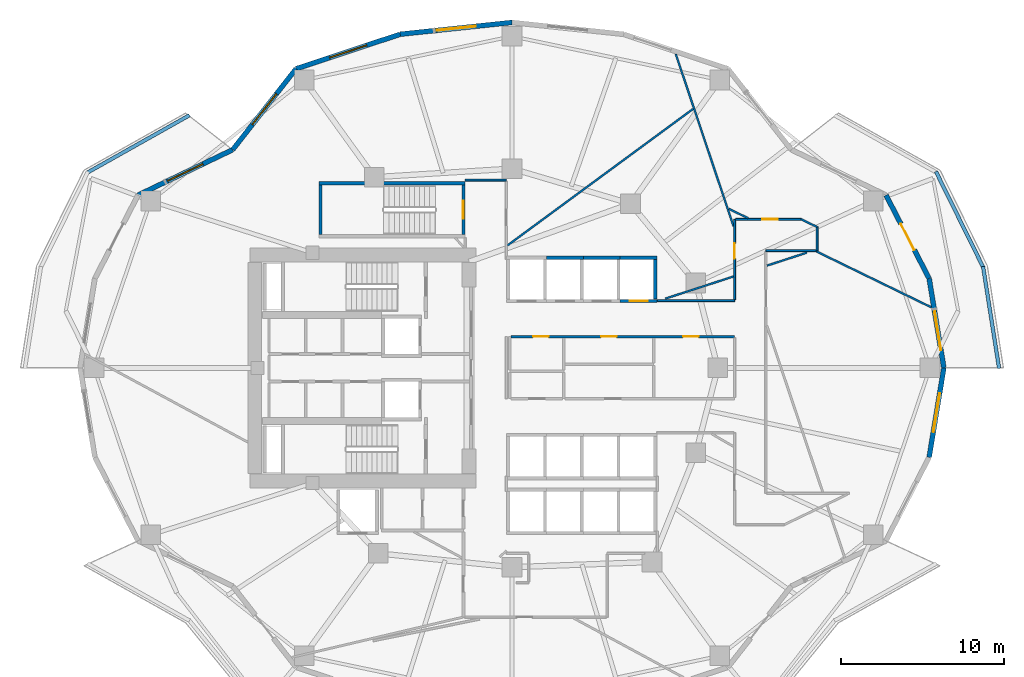
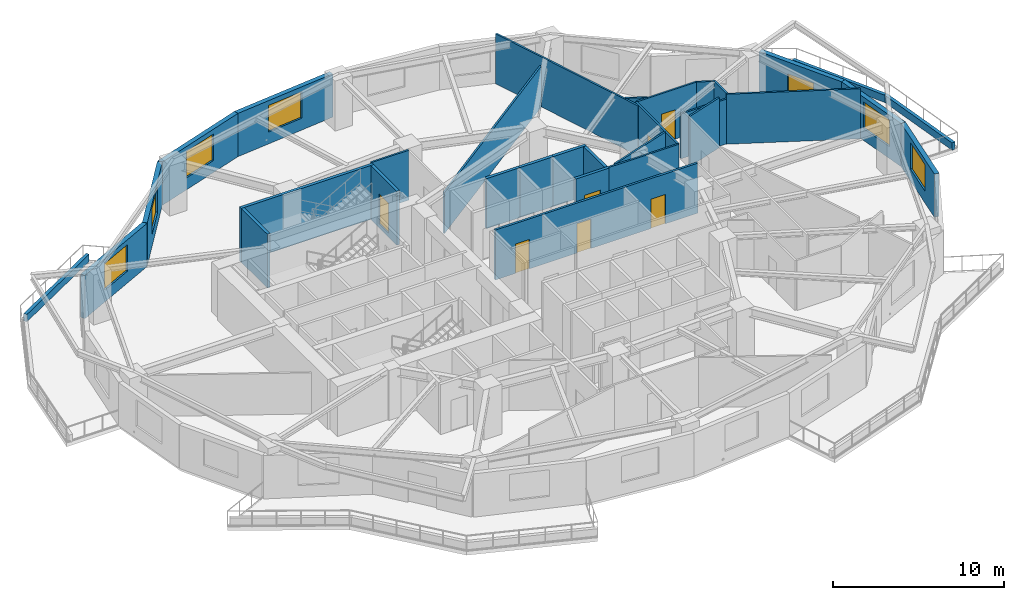
# One storey, part 6 of 11: 32 walls, 8 doors, 6 windows, 14 openings.
"""IFC4 building model written with IfcOpenShell, lengths in metres."""

from ifc_helpers import new_model, si_unit, direction, frame, frame_2d, origin, place, context, subcontext, project, spatial, rectangle, extrude, material, layer, layer_set, type_object, element, fill, save


model = new_model("IFC4")

# Units and contexts
model_context = context("Model", 3, precision=1e-05, world=origin(), true_north=direction((0.0, 1.0)))
body_context = subcontext(model_context, "Body", "Model", "MODEL_VIEW")
ifc_project = project(units=[si_unit("LENGTHUNIT", "METRE"), si_unit("AREAUNIT", "SQUARE_METRE"), si_unit("VOLUMEUNIT", "CUBIC_METRE"), si_unit("PLANEANGLEUNIT", "RADIAN"), si_unit("MASSUNIT", "GRAM", prefix="KILO")], contexts=[model_context])

# Site, building, storey
site_placement = place(None, origin())
site = spatial("IfcSite", under=ifc_project, at=site_placement, CompositionType="ELEMENT")
building_placement = place(site_placement, origin())
building = spatial("IfcBuilding", under=site, at=building_placement, Name="Kolvaren Gate Tower and Convention Centre", CompositionType="ELEMENT")
storey_placement = place(building_placement, frame((0.0, 0.0, 88.10009765625)))
storey = spatial("IfcBuildingStorey", under=building, at=storey_placement, Name="L21", CompositionType="ELEMENT", Elevation=88.10009765625)

# Walls
ifc_material_1 = material(Name="Fire-Rated Acoustic Gypsum Stud Partition", Category="gypsum")
ifc_layer_1 = layer(ifc_material_1, 0.1201171875)
ifc_layer_set_1 = layer_set([ifc_layer_1], Name="Fire-Rated Acoustic Gypsum Stud Partition")
wall_type_1 = type_object("IfcWallType", Name="ARCH-WL-PART-120", PredefinedType="PARTITIONING", material=ifc_layer_set_1)
wall_1_placement = place(storey_placement, frame((27.25, 38.5, 0.0), z_axis=(0.0, 0.0, 1.0), x_axis=(1.0, 0.0, 0.0)))
element("IfcWall", 1, at=wall_1_placement, inside=storey, type_object=wall_type_1, Name="Interior Partition WL-L21-INT-027", PredefinedType="PARTITIONING", context=body_context, shape_type="SweptSolid", body=[
    extrude(rectangle(XDim=2.530029296875, YDim=0.1201171875, at=frame_2d((1.26513671875, 0.0))), origin(), (0.0, 0.0, 1.0), 3.56982421875),
])
wall_2_placement = place(storey_placement, frame((39.02001953125, 31.1201171875, 0.0), z_axis=(0.0, 0.0, 1.0), x_axis=(1.0, 0.0, 0.0)))
element("IfcWall", 2, at=wall_2_placement, inside=storey, type_object=wall_type_1, Name="Interior Partition WL-L21-INT-031", PredefinedType="PARTITIONING", context=body_context, shape_type="SweptSolid", body=[
    extrude(rectangle(XDim=4.72998046875, YDim=0.1201171875, at=frame_2d((2.364990234375, 0.0))), origin(), (0.0, 0.0, 1.0), 3.56982421875),
])

# Wall, opening, door
wall_3_placement = place(storey_placement, frame((43.75, 31.181884765625, 0.0), z_axis=(0.0, 0.0, 1.0), x_axis=(0.0, 1.0, 0.0)))
wall_3 = element("IfcWall", 3, at=wall_3_placement, inside=storey, type_object=wall_type_1, Name="Interior Partition WL-L21-INT-034", PredefinedType="PARTITIONING", context=body_context, shape_type="SweptSolid", body=[
    extrude(rectangle(XDim=4.918212890625, YDim=0.1201171875, at=frame_2d((2.458984375, 0.0))), origin(), (0.0, 0.0, 1.0), 3.56982421875),
])
opening_1_placement = place(wall_3_placement, frame((2.4912109375, 0.0, 0.0)))
opening_1 = element("IfcOpeningElement", 4, at=opening_1_placement, cuts=wall_3, Name="Opening DR-01", PredefinedType="OPENING", context=body_context, shape_type="SweptSolid", body=[
    extrude(rectangle(XDim=0.949951171875, YDim=2.10009765625, at=frame_2d((0.47509765625, 1.050048828125))), frame((0.0, 0.070068359375, 0.0), z_axis=(0.0, -1.0, 0.0), x_axis=(1.0, 0.0, 0.0)), (0.0, 0.0, 1.0), 0.14013671875),
])
ifc_material_2 = material(Name="Painted Architectural Steelwork ASTM A500 Grade C 345 MPa", Category="steel")
door_type_1 = type_object("IfcDoorType", Name="ARCH-DR-RISER-950", OperationType="SINGLE_SWING_RIGHT", PredefinedType="DOOR", material=ifc_material_2)
door_1_placement = place(opening_1_placement, origin())
door_1 = element("IfcDoor", 5, at=door_1_placement, inside=storey, type_object=door_type_1, Name="Corporate Advisory Open-Plan Office Door", OperationType="SINGLE_SWING_LEFT", OverallHeight=2.10009765625, OverallWidth=0.949951171875, PredefinedType="DOOR", context=body_context, shape_type="SweptSolid", body=[
    extrude(rectangle(XDim=0.949951171875, YDim=2.10009765625, at=frame_2d((0.47509765625, 1.050048828125))), frame((0.0, 0.02490234375, 0.0), z_axis=(0.0, -1.0, 0.0), x_axis=(1.0, 0.0, 0.0)), (0.0, 0.0, 1.0), 0.050048828125),
])
fill(opening_1, door_1)

wall_4_placement = place(storey_placement, frame((43.81201171875, 36.10009765625, 0.0), z_axis=(0.0, 0.0, 1.0), x_axis=(1.0, 0.0, 0.0)))
wall_4 = element("IfcWall", 6, at=wall_4_placement, inside=storey, type_object=wall_type_1, Name="Interior Partition WL-L21-INT-035", PredefinedType="PARTITIONING", context=body_context, shape_type="SweptSolid", body=[
    extrude(rectangle(XDim=4.011962890625, YDim=0.1201171875, at=frame_2d((2.005859375, 0.0))), origin(), (0.0, 0.0, 1.0), 3.56982421875),
])
opening_2_placement = place(wall_4_placement, frame((1.622802734375, 0.0, 0.0)))
opening_2 = element("IfcOpeningElement", 7, at=opening_2_placement, cuts=wall_4, Name="Opening DR-01", PredefinedType="OPENING", context=body_context, shape_type="SweptSolid", body=[
    extrude(rectangle(XDim=0.949951171875, YDim=2.10009765625, at=frame_2d((0.47509765625, 1.050048828125))), frame((0.0, 0.070068359375, 0.0), z_axis=(0.0, -1.0, 0.0), x_axis=(1.0, 0.0, 0.0)), (0.0, 0.0, 1.0), 0.14013671875),
])
door_2_placement = place(opening_2_placement, origin())
door_2 = element("IfcDoor", 8, at=door_2_placement, inside=storey, type_object=door_type_1, Name="Corporate Advisory Open-Plan Office Door", OperationType="SINGLE_SWING_RIGHT", OverallHeight=2.10009765625, OverallWidth=0.949951171875, PredefinedType="DOOR", context=body_context, shape_type="SweptSolid", body=[
    extrude(rectangle(XDim=0.949951171875, YDim=2.10009765625, at=frame_2d((0.47509765625, 1.050048828125))), frame((0.0, 0.02490234375, 0.0), z_axis=(0.0, -1.0, 0.0), x_axis=(1.0, 0.0, 0.0)), (0.0, 0.0, 1.0), 0.050048828125),
])
fill(opening_2, door_2)

# Walls
wall_5_placement = place(storey_placement, frame((47.823974609375, 36.10009765625, 0.0), z_axis=(0.0, 0.0, 1.0), x_axis=(0.901350599951, -0.433090170712, 0.0)))
element("IfcWall", 9, at=wall_5_placement, inside=storey, type_object=wall_type_1, Name="Interior Partition WL-L21-INT-036", PredefinedType="PARTITIONING", context=body_context, shape_type="SweptSolid", body=[
    extrude(rectangle(XDim=1.0830078125, YDim=0.1201171875, at=frame_2d((0.54150390625, 0.0))), origin(), (0.0, 0.0, 1.0), 3.56982421875),
])
wall_6_placement = place(storey_placement, frame((48.800048828125, 34.179931640625, 0.0), z_axis=(0.0, 0.0, 1.0), x_axis=(0.0, 1.0, 0.0)))
element("IfcWall", 10, at=wall_6_placement, inside=storey, type_object=wall_type_1, Name="Interior Partition WL-L21-INT-037", PredefinedType="PARTITIONING", context=body_context, shape_type="SweptSolid", body=[
    extrude(rectangle(XDim=1.451171875, YDim=0.1201171875, at=frame_2d((0.7255859375, 0.0))), origin(), (0.0, 0.0, 1.0), 3.56982421875),
])
wall_7_placement = place(storey_placement, frame((45.669921875, 34.179931640625, 0.0), z_axis=(0.0, 0.0, 1.0), x_axis=(1.0, 0.0, 0.0)))
element("IfcWall", 11, at=wall_7_placement, inside=storey, type_object=wall_type_1, Name="Interior Partition WL-L21-INT-038", PredefinedType="PARTITIONING", context=body_context, shape_type="SweptSolid", body=[
    extrude(rectangle(XDim=3.068115234375, YDim=0.1201171875, at=frame_2d((1.5341796875, 0.0))), origin(), (0.0, 0.0, 1.0), 3.204833984375),
])
wall_8_placement = place(storey_placement, frame((40.150390625, 46.214599609375, 0.0), z_axis=(0.0, 0.0, 1.0), x_axis=(0.318097538603, -0.948057991863, 0.0)))
element("IfcWall", 12, at=wall_8_placement, inside=storey, type_object=wall_type_1, Name="Interior Partition WL-L21-INT-054", PredefinedType="PARTITIONING", context=body_context, shape_type="SweptSolid", body=[
    extrude(rectangle(XDim=11.12109375, YDim=0.1201171875, at=frame_2d((5.560546875, 0.0))), origin(), (0.0, 0.0, 1.0), 3.56982421875),
])
wall_9_placement = place(storey_placement, frame((39.51123046875, 31.241943359375, 0.0), z_axis=(0.0, 0.0, 1.0), x_axis=(0.951052042302, 0.30903076357, 0.0)))
element("IfcWall", 13, at=wall_9_placement, inside=storey, type_object=wall_type_1, Name="Interior Partition WL-L21-INT-057", PredefinedType="PARTITIONING", context=body_context, shape_type="SweptSolid", body=[
    extrude(rectangle(XDim=4.391845703125, YDim=0.1201171875, at=frame_2d((2.19580078125, 0.0))), origin(), (0.0, 0.0, 1.0), 3.56982421875),
])
wall_10_placement = place(storey_placement, frame((45.73193359375, 33.26318359375, 0.0), z_axis=(0.0, 0.0, 1.0), x_axis=(0.951057081836, 0.309015253813, 0.0)))
element("IfcWall", 14, at=wall_10_placement, inside=storey, type_object=wall_type_1, Name="Interior Partition WL-L21-INT-058", PredefinedType="PARTITIONING", context=body_context, shape_type="SweptSolid", body=[
    extrude(rectangle(XDim=2.572509765625, YDim=0.1201171875, at=frame_2d((1.2861328125, 0.0))), origin(), (0.0, 0.0, 1.0), 3.56982421875),
])
wall_11_placement = place(storey_placement, frame((43.39404296875, 36.7421875, 0.0), z_axis=(0.0, 0.0, 1.0), x_axis=(0.899305525601, -0.437320902339, 0.0)))
element("IfcWall", 15, at=wall_11_placement, inside=storey, type_object=wall_type_1, Name="Interior Partition WL-L21-INT-059", PredefinedType="PARTITIONING", context=body_context, shape_type="SweptSolid", body=[
    extrude(rectangle(XDim=1.326416015625, YDim=0.1201171875, at=frame_2d((0.6630859375, 0.0))), origin(), (0.0, 0.0, 1.0), 3.56982421875),
])
wall_12_placement = place(storey_placement, frame((48.738037109375, 34.142578125, 0.0), z_axis=(0.0, 0.0, 1.0), x_axis=(0.899231452107, -0.437473194083, 0.0)))
element("IfcWall", 16, at=wall_12_placement, inside=storey, type_object=wall_type_1, Name="Interior Partition WL-L21-INT-060", PredefinedType="PARTITIONING", context=body_context, shape_type="SweptSolid", body=[
    extrude(rectangle(XDim=7.8515625, YDim=0.1201171875, at=frame_2d((3.92578125, 0.0))), origin(), (0.0, 0.0, 1.0), 3.56982421875),
])
wall_13_placement = place(storey_placement, frame((29.842041015625, 34.49462890625, 0.0), z_axis=(0.0, 0.0, 1.0), x_axis=(0.805582047077, 0.592484232219, 0.0)))
element("IfcWall", 17, at=wall_13_placement, inside=storey, type_object=wall_type_1, Name="Interior Partition WL-L21-INT-061", PredefinedType="PARTITIONING", context=body_context, shape_type="SweptSolid", body=[
    extrude(rectangle(XDim=14.113525390625, YDim=0.1201171875, at=frame_2d((7.056640625, 0.0))), origin(), (0.0, 0.0, 1.0), 2.933837890625),
])
ifc_material_3 = material(Name="Piedmont Cream Honed Limestone Cladding", Category="masonry")
ifc_layer_2 = layer(ifc_material_3, 0.219970703125)
ifc_layer_set_2 = layer_set([ifc_layer_2], Name="Piedmont Cream Honed Limestone Cladding")
wall_type_2 = type_object("IfcWallType", Name="ARCH-WL-PLANTER-220", PredefinedType="PARAPET", material=ifc_layer_set_2)
wall_14_placement = place(storey_placement, frame((58.9619140625, 33.2119140625, 0.0), z_axis=(0.0, 0.0, 1.0), x_axis=(0.15545655238, -0.987842730561, 0.0)))
element("IfcWall", 18, at=wall_14_placement, inside=storey, type_object=wall_type_2, Name="Vertical-Forest Balcony Stone Planter Kerb PK-L21-1.1", PredefinedType="PARAPET", context=body_context, shape_type="SweptSolid", body=[
    extrude(rectangle(XDim=6.318115234375, YDim=0.219970703125, at=frame_2d((3.1591796875, 0.0))), origin(), (0.0, 0.0, 1.0), 0.52001953125),
])
wall_15_placement = place(storey_placement, frame((56.077392578125, 39.021484375, 0.0), z_axis=(0.0, 0.0, 1.0), x_axis=(0.442686636348, -0.89667638644, 0.0)))
element("IfcWall", 19, at=wall_15_placement, inside=storey, type_object=wall_type_2, Name="Vertical-Forest Balcony Stone Planter Kerb PK-L21-1.2", PredefinedType="PARAPET", context=body_context, shape_type="SweptSolid", body=[
    extrude(rectangle(XDim=6.544677734375, YDim=0.219970703125, at=frame_2d((3.2724609375, 0.0))), origin(), (0.0, 0.0, 1.0), 0.52001953125),
])
wall_16_placement = place(storey_placement, frame((4.14697265625, 38.965576171875, 0.0), z_axis=(0.0, 0.0, 1.0), x_axis=(0.871775109335, 0.489906275468, 0.0)))
element("IfcWall", 20, at=wall_16_placement, inside=storey, type_object=wall_type_2, Name="Vertical-Forest Balcony Stone Planter Kerb PK-L21-2.1", PredefinedType="PARAPET", context=body_context, shape_type="SweptSolid", body=[
    extrude(rectangle(XDim=7.152099609375, YDim=0.219970703125, at=frame_2d((3.576171875, 0.0))), origin(), (0.0, 0.0, 1.0), 0.52001953125),
])
ifc_material_4 = material(Name="Autoclaved Aerated Masonry Blockwork Class 4 (4.0 MPa)", Category="masonry")
ifc_layer_3 = layer(ifc_material_4, 0.199951171875)
ifc_layer_set_3 = layer_set([ifc_layer_3], Name="Autoclaved Aerated Masonry Blockwork Class 4 (4.0 MPa)")
wall_type_3 = type_object("IfcWallType", Name="ARCH-WL-SHAFT-200", PredefinedType="SOLIDWALL", material=ifc_layer_set_3)
for number, where, z_axis, x_axis, name in (
    (21, (32.25, 33.75, 0.0), (0.0, 0.0, 1.0), (1.0, 0.0, 0.0), "Elevator PL-02 L21 Fire Shaft Wall N"),
    (22, (34.5, 33.75, 0.0), (0.0, 0.0, 1.0), (1.0, 0.0, 0.0), "Elevator PL-03 L21 Fire Shaft Wall N"),
    (23, (36.75, 33.75, 0.0), (0.0, 0.0, 1.0), (1.0, 0.0, 0.0), "Elevator PL-04 L21 Fire Shaft Wall N"),
):
    element("IfcWall", number, at=place(storey_placement, frame(where, z_axis=z_axis, x_axis=x_axis)), inside=storey, type_object=wall_type_3, Name=name, PredefinedType="SOLIDWALL", context=body_context, shape_type="SweptSolid", body=[
        extrude(rectangle(XDim=2.25, YDim=0.199951171875, at=frame_2d((1.125, 0.0))), origin(), (0.0, 0.0, 1.0), 3.56982421875),
    ])

# Wall, opening, door
wall_17_placement = place(storey_placement, frame((36.75, 31.10009765625, 0.0), z_axis=(0.0, 0.0, 1.0), x_axis=(1.0, 0.0, 0.0)))
wall_17 = element("IfcWall", 24, at=wall_17_placement, inside=storey, type_object=wall_type_3, Name="Elevator PL-04 L21 Fire Shaft Wall S", PredefinedType="SOLIDWALL", context=body_context, shape_type="SweptSolid", body=[
    extrude(rectangle(XDim=2.25, YDim=0.199951171875, at=frame_2d((1.125, 0.0))), origin(), (0.0, 0.0, 1.0), 3.56982421875),
])
opening_3_placement = place(wall_17_placement, frame((0.574951171875, 0.0, 0.0)))
opening_3 = element("IfcOpeningElement", 25, at=opening_3_placement, cuts=wall_17, Name="Opening LD", PredefinedType="OPENING", context=body_context, shape_type="SweptSolid", body=[
    extrude(rectangle(XDim=1.10009765625, YDim=2.199951171875, at=frame_2d((0.550048828125, 1.10009765625))), frame((0.0, 0.10986328125, 0.0), z_axis=(0.0, -1.0, 0.0), x_axis=(1.0, 0.0, 0.0)), (0.0, 0.0, 1.0), 0.219970703125),
])
ifc_material_5 = material(Name="Brushed Stainless Steel Grade 316L", Category="steel")
door_type_2 = type_object("IfcDoorType", Name="ARCH-DR-LIFT-1100", OperationType="SLIDING_TO_LEFT", PredefinedType="DOOR", material=ifc_material_5)
door_3_placement = place(opening_3_placement, origin())
door_3 = element("IfcDoor", 26, at=door_3_placement, inside=storey, type_object=door_type_2, Name="Elevator PL-04 L21 Sliding Landing Door", OperationType="SLIDING_TO_LEFT", OverallHeight=2.199951171875, OverallWidth=1.10009765625, PredefinedType="DOOR", context=body_context, shape_type="SweptSolid", body=[
    extrude(rectangle(XDim=1.10009765625, YDim=2.199951171875, at=frame_2d((0.550048828125, 1.10009765625))), frame((0.0, 0.02490234375, 0.0), z_axis=(0.0, -1.0, 0.0), x_axis=(1.0, 0.0, 0.0)), (0.0, 0.0, 1.0), 0.050048828125),
])
fill(opening_3, door_3)

# Wall
wall_18_placement = place(storey_placement, frame((38.89990234375, 31.2099609375, 0.0), z_axis=(0.0, 0.0, 1.0), x_axis=(0.0, 1.0, 0.0)))
element("IfcWall", 27, at=wall_18_placement, inside=storey, type_object=wall_type_3, Name="Elevator PL-04 L21 Fire Shaft Wall E", PredefinedType="SOLIDWALL", context=body_context, shape_type="SweptSolid", body=[
    extrude(rectangle(XDim=2.429931640625, YDim=0.199951171875, at=frame_2d((1.21484375, 0.0))), origin(), (0.0, 0.0, 1.0), 3.56982421875),
])

# Wall, opening, window
ifc_layer_4 = layer(ifc_material_3, 0.300048828125)
ifc_layer_set_4 = layer_set([ifc_layer_4], Name="Piedmont Cream Honed Limestone Cladding")
wall_type_4 = type_object("IfcWallType", Name="ARCH-WL-STONE-300", PredefinedType="SOLIDWALL", material=ifc_layer_set_4)
wall_19_placement = place(storey_placement, frame((55.66162109375, 32.47412109375, 0.0), z_axis=(0.0, 0.0, 1.0), x_axis=(0.162386212206, -0.986727276447, 0.0)))
wall_19 = element("IfcWall", 28, at=wall_19_placement, inside=storey, type_object=wall_type_4, Name="Tower L21 Honed Stone Spandrel Wall EW-00", PredefinedType="SOLIDWALL", context=body_context, shape_type="SweptSolid", body=[
    extrude(rectangle(XDim=5.5478515625, YDim=0.300048828125, at=frame_2d((2.77392578125, 0.0))), origin(), (0.0, 0.0, 1.0), 3.093017578125),
])
opening_4_placement = place(wall_19_placement, frame((2.050048828125, 0.0, 0.85009765625)))
opening_4 = element("IfcOpeningElement", 29, at=opening_4_placement, cuts=wall_19, Name="Opening W-01", PredefinedType="OPENING", context=body_context, shape_type="SweptSolid", body=[
    extrude(rectangle(XDim=2.39990234375, YDim=1.89990234375, at=frame_2d((1.199951171875, 0.949951171875))), frame((0.0, 0.159912109375, 0.0), z_axis=(0.0, -1.0, 0.0), x_axis=(1.0, 0.0, 0.0)), (0.0, 0.0, 1.0), 0.320068359375),
])
ifc_material_6 = material(Name="Low-E Triple Insulated Glazing Unit 44 mm", Category="glass")
window_type = type_object("IfcWindowType", Name="ARCH-WN-OFF-2400", PartitioningType="SINGLE_PANEL", PredefinedType="WINDOW", material=ifc_material_6)
window_1_placement = place(opening_4_placement, origin())
window_1 = element("IfcWindow", 30, at=window_1_placement, inside=storey, type_object=window_type, Name="Tower L21 Punched Stone Facade Window W-00", OverallHeight=1.89990234375, OverallWidth=2.39990234375, PartitioningType="SINGLE_PANEL", PredefinedType="WINDOW", context=body_context, shape_type="SweptSolid", body=[
    extrude(rectangle(XDim=2.39990234375, YDim=1.89990234375, at=frame_2d((1.199951171875, 0.949951171875))), frame((0.0, 0.030029296875, 0.0), z_axis=(0.0, -1.0, 0.0), x_axis=(1.0, 0.0, 0.0)), (0.0, 0.0, 1.0), 0.06005859375),
])
fill(opening_4, window_1)

# Wall, opening, door
wall_20_placement = place(storey_placement, frame((53.0205078125, 37.574951171875, 0.0), z_axis=(0.0, 0.0, 1.0), x_axis=(0.459800981414, -0.888021991558, 0.0)))
wall_20 = element("IfcWall", 31, at=wall_20_placement, inside=storey, type_object=wall_type_4, Name="Tower L21 Honed Stone Spandrel Wall EW-01", PredefinedType="SOLIDWALL", context=body_context, shape_type="SweptSolid", body=[
    extrude(rectangle(XDim=5.744140625, YDim=0.300048828125, at=frame_2d((2.8720703125, 0.0))), origin(), (0.0, 0.0, 1.0), 3.093017578125),
])
opening_5_placement = place(wall_20_placement, frame((1.971923828125, 0.0, 0.0)))
opening_5 = element("IfcOpeningElement", 32, at=opening_5_placement, cuts=wall_20, Name="Opening DB-01", PredefinedType="OPENING", context=body_context, shape_type="SweptSolid", body=[
    extrude(rectangle(XDim=1.800048828125, YDim=2.25, at=frame_2d((0.89990234375, 1.125))), frame((0.0, 0.159912109375, 0.0), z_axis=(0.0, -1.0, 0.0), x_axis=(1.0, 0.0, 0.0)), (0.0, 0.0, 1.0), 0.320068359375),
])
ifc_material_7 = material(Name="Anodized Architectural Aluminium Alloy 6063-T6", Category="aluminium")
door_type_3 = type_object("IfcDoorType", Name="ARCH-DR-BALC-1800", OperationType="SLIDING_TO_LEFT", PredefinedType="DOOR", material=ifc_material_7)
door_4_placement = place(opening_5_placement, origin())
door_4 = element("IfcDoor", 33, at=door_4_placement, inside=storey, type_object=door_type_3, Name="Planted Sky Terrace Access Door DB-L21-01", OperationType="SLIDING_TO_LEFT", OverallHeight=2.25, OverallWidth=1.800048828125, PredefinedType="DOOR", context=body_context, shape_type="SweptSolid", body=[
    extrude(rectangle(XDim=1.800048828125, YDim=2.25, at=frame_2d((0.89990234375, 1.125))), frame((0.0, 0.02490234375, 0.0), z_axis=(0.0, -1.0, 0.0), x_axis=(1.0, 0.0, 0.0)), (0.0, 0.0, 1.0), 0.050048828125),
])
fill(opening_5, door_4)

# Wall, opening, window
wall_21_placement = place(storey_placement, frame((23.282470703125, 47.42919921875, 0.0), z_axis=(0.0, 0.0, 1.0), x_axis=(0.994498840295, 0.104747585419, 0.0)))
wall_21 = element("IfcWall", 34, at=wall_21_placement, inside=storey, type_object=wall_type_4, Name="Tower L21 Honed Stone Spandrel Wall EW-06", PredefinedType="SOLIDWALL", context=body_context, shape_type="SweptSolid", body=[
    extrude(rectangle(XDim=6.88037109375, YDim=0.300048828125, at=frame_2d((3.440185546875, 0.0))), origin(), (0.0, 0.0, 1.0), 3.093017578125),
])
opening_6_placement = place(wall_21_placement, frame((2.239990234375, 0.0, 0.85009765625)))
opening_6 = element("IfcOpeningElement", 35, at=opening_6_placement, cuts=wall_21, Name="Opening W-01", PredefinedType="OPENING", context=body_context, shape_type="SweptSolid", body=[
    extrude(rectangle(XDim=2.39990234375, YDim=1.89990234375, at=frame_2d((1.199951171875, 0.949951171875))), frame((0.0, 0.159912109375, 0.0), z_axis=(0.0, -1.0, 0.0), x_axis=(1.0, 0.0, 0.0)), (0.0, 0.0, 1.0), 0.320068359375),
])
window_2_placement = place(opening_6_placement, origin())
window_2 = element("IfcWindow", 36, at=window_2_placement, inside=storey, type_object=window_type, Name="Tower L21 Punched Stone Facade Window W-06", OverallHeight=1.89990234375, OverallWidth=2.39990234375, PartitioningType="SINGLE_PANEL", PredefinedType="WINDOW", context=body_context, shape_type="SweptSolid", body=[
    extrude(rectangle(XDim=2.39990234375, YDim=1.89990234375, at=frame_2d((1.199951171875, 0.949951171875))), frame((0.0, 0.030029296875, 0.0), z_axis=(0.0, -1.0, 0.0), x_axis=(1.0, 0.0, 0.0)), (0.0, 0.0, 1.0), 0.06005859375),
])
fill(opening_6, window_2)

wall_22_placement = place(storey_placement, frame((16.90625, 45.31640625, 0.0), z_axis=(0.0, 0.0, 1.0), x_axis=(0.949245153629, 0.314537181127, 0.0)))
wall_22 = element("IfcWall", 37, at=wall_22_placement, inside=storey, type_object=wall_type_4, Name="Tower L21 Honed Stone Spandrel Wall EW-07", PredefinedType="SOLIDWALL", context=body_context, shape_type="SweptSolid", body=[
    extrude(rectangle(XDim=6.717041015625, YDim=0.300048828125, at=frame_2d((3.3583984375, 0.0))), origin(), (0.0, 0.0, 1.0), 3.093017578125),
])
opening_7_placement = place(wall_22_placement, frame((2.158935546875, 0.0, 0.85009765625)))
opening_7 = element("IfcOpeningElement", 38, at=opening_7_placement, cuts=wall_22, Name="Opening W-01", PredefinedType="OPENING", context=body_context, shape_type="SweptSolid", body=[
    extrude(rectangle(XDim=2.39990234375, YDim=1.89990234375, at=frame_2d((1.199951171875, 0.949951171875))), frame((0.0, 0.159912109375, 0.0), z_axis=(0.0, -1.0, 0.0), x_axis=(1.0, 0.0, 0.0)), (0.0, 0.0, 1.0), 0.320068359375),
])
window_3_placement = place(opening_7_placement, origin())
window_3 = element("IfcWindow", 39, at=window_3_placement, inside=storey, type_object=window_type, Name="Tower L21 Punched Stone Facade Window W-07", OverallHeight=1.89990234375, OverallWidth=2.39990234375, PartitioningType="SINGLE_PANEL", PredefinedType="WINDOW", context=body_context, shape_type="SweptSolid", body=[
    extrude(rectangle(XDim=2.39990234375, YDim=1.89990234375, at=frame_2d((1.199951171875, 0.949951171875))), frame((0.0, 0.030029296875, 0.0), z_axis=(0.0, -1.0, 0.0), x_axis=(1.0, 0.0, 0.0)), (0.0, 0.0, 1.0), 0.06005859375),
])
fill(opening_7, window_3)

wall_23_placement = place(storey_placement, frame((13.026123046875, 40.360107421875, 0.0), z_axis=(0.0, 0.0, 1.0), x_axis=(0.616434798832, 0.78740595552, 0.0)))
wall_23 = element("IfcWall", 40, at=wall_23_placement, inside=storey, type_object=wall_type_4, Name="Tower L21 Honed Stone Spandrel Wall EW-08", PredefinedType="SOLIDWALL", context=body_context, shape_type="SweptSolid", body=[
    extrude(rectangle(XDim=6.29443359375, YDim=0.300048828125, at=frame_2d((3.147216796875, 0.0))), origin(), (0.0, 0.0, 1.0), 3.093017578125),
])
opening_8_placement = place(wall_23_placement, frame((1.947021484375, 0.0, 0.85009765625)))
opening_8 = element("IfcOpeningElement", 41, at=opening_8_placement, cuts=wall_23, Name="Opening W-01", PredefinedType="OPENING", context=body_context, shape_type="SweptSolid", body=[
    extrude(rectangle(XDim=2.39990234375, YDim=1.89990234375, at=frame_2d((1.199951171875, 0.949951171875))), frame((0.0, 0.159912109375, 0.0), z_axis=(0.0, -1.0, 0.0), x_axis=(1.0, 0.0, 0.0)), (0.0, 0.0, 1.0), 0.320068359375),
])
window_4_placement = place(opening_8_placement, origin())
window_4 = element("IfcWindow", 42, at=window_4_placement, inside=storey, type_object=window_type, Name="Tower L21 Punched Stone Facade Window W-08", OverallHeight=1.89990234375, OverallWidth=2.39990234375, PartitioningType="SINGLE_PANEL", PredefinedType="WINDOW", context=body_context, shape_type="SweptSolid", body=[
    extrude(rectangle(XDim=2.39990234375, YDim=1.89990234375, at=frame_2d((1.199951171875, 0.949951171875))), frame((0.0, 0.030029296875, 0.0), z_axis=(0.0, -1.0, 0.0), x_axis=(1.0, 0.0, 0.0)), (0.0, 0.0, 1.0), 0.06005859375),
])
fill(opening_8, window_4)

wall_24_placement = place(storey_placement, frame((7.2294921875, 37.574951171875, 0.0), z_axis=(0.0, 0.0, 1.0), x_axis=(0.901354747727, 0.433081538224, 0.0)))
wall_24 = element("IfcWall", 43, at=wall_24_placement, inside=storey, type_object=wall_type_4, Name="Tower L21 Honed Stone Spandrel Wall EW-09", PredefinedType="SOLIDWALL", context=body_context, shape_type="SweptSolid", body=[
    extrude(rectangle(XDim=6.430908203125, YDim=0.300048828125, at=frame_2d((3.21533203125, 0.0))), origin(), (0.0, 0.0, 1.0), 3.093017578125),
])
opening_9_placement = place(wall_24_placement, frame((2.014892578125, 0.0, 0.85009765625)))
opening_9 = element("IfcOpeningElement", 44, at=opening_9_placement, cuts=wall_24, Name="Opening W-01", PredefinedType="OPENING", context=body_context, shape_type="SweptSolid", body=[
    extrude(rectangle(XDim=2.39990234375, YDim=1.89990234375, at=frame_2d((1.199951171875, 0.949951171875))), frame((0.0, 0.159912109375, 0.0), z_axis=(0.0, -1.0, 0.0), x_axis=(1.0, 0.0, 0.0)), (0.0, 0.0, 1.0), 0.320068359375),
])
window_5_placement = place(opening_9_placement, origin())
window_5 = element("IfcWindow", 45, at=window_5_placement, inside=storey, type_object=window_type, Name="Tower L21 Punched Stone Facade Window W-09", OverallHeight=1.89990234375, OverallWidth=2.39990234375, PartitioningType="SINGLE_PANEL", PredefinedType="WINDOW", context=body_context, shape_type="SweptSolid", body=[
    extrude(rectangle(XDim=2.39990234375, YDim=1.89990234375, at=frame_2d((1.199951171875, 0.949951171875))), frame((0.0, 0.030029296875, 0.0), z_axis=(0.0, -1.0, 0.0), x_axis=(1.0, 0.0, 0.0)), (0.0, 0.0, 1.0), 0.06005859375),
])
fill(opening_9, window_5)

wall_25_placement = place(storey_placement, frame((55.66162109375, 21.52587890625, 0.0), z_axis=(0.0, 0.0, 1.0), x_axis=(0.162386212206, 0.986727276447, 0.0)))
wall_25 = element("IfcWall", 46, at=wall_25_placement, inside=storey, type_object=wall_type_4, Name="Tower L21 Honed Stone Spandrel Wall EW-23", PredefinedType="SOLIDWALL", context=body_context, shape_type="SweptSolid", body=[
    extrude(rectangle(XDim=5.5478515625, YDim=0.300048828125, at=frame_2d((2.77392578125, 0.0))), origin(), (0.0, 0.0, 1.0), 3.093017578125),
])
opening_10_placement = place(wall_25_placement, frame((1.573974609375, 0.0, 0.85009765625)))
opening_10 = element("IfcOpeningElement", 47, at=opening_10_placement, cuts=wall_25, Name="Opening W-01", PredefinedType="OPENING", context=body_context, shape_type="SweptSolid", body=[
    extrude(rectangle(XDim=2.39990234375, YDim=1.89990234375, at=frame_2d((1.199951171875, 0.949951171875))), frame((0.0, 0.159912109375, 0.0), z_axis=(0.0, -1.0, 0.0), x_axis=(1.0, 0.0, 0.0)), (0.0, 0.0, 1.0), 0.320068359375),
])
window_6_placement = place(opening_10_placement, origin())
window_6 = element("IfcWindow", 48, at=window_6_placement, inside=storey, type_object=window_type, Name="Tower L21 Punched Stone Facade Window W-23", OverallHeight=1.89990234375, OverallWidth=2.39990234375, PartitioningType="SINGLE_PANEL", PredefinedType="WINDOW", context=body_context, shape_type="SweptSolid", body=[
    extrude(rectangle(XDim=2.39990234375, YDim=1.89990234375, at=frame_2d((1.199951171875, 0.949951171875))), frame((0.0, 0.030029296875, 0.0), z_axis=(0.0, -1.0, 0.0), x_axis=(1.0, 0.0, 0.0)), (0.0, 0.0, 1.0), 0.06005859375),
])
fill(opening_10, window_6)

# Wall, openings, doors
ifc_material_8 = material(Name="Moisture-Resistant Cement-Board Acoustic Partition", Category="gypsum")
ifc_layer_5 = layer(ifc_material_8, 0.14990234375)
ifc_layer_set_5 = layer_set([ifc_layer_5], Name="Moisture-Resistant Cement-Board Acoustic Partition")
wall_type_5 = type_object("IfcWallType", Name="ARCH-WL-WET-150", PredefinedType="PARTITIONING", material=ifc_layer_set_5)
wall_26_placement = place(storey_placement, frame((30.076904296875, 28.919921875, 0.0), z_axis=(0.0, 0.0, 1.0), x_axis=(1.0, 0.0, 0.0)))
wall_26 = element("IfcWall", 49, at=wall_26_placement, inside=storey, type_object=wall_type_5, Name="Interior Partition WL-L21-INT-017", PredefinedType="PARTITIONING", context=body_context, shape_type="SweptSolid", body=[
    extrude(rectangle(XDim=13.673095703125, YDim=0.14990234375, at=frame_2d((6.83642578125, 0.0))), origin(), (0.0, 0.0, 1.0), 3.56982421875),
])
opening_11_placement = place(wall_26_placement, frame((1.341552734375, 0.0, 0.0)))
opening_11 = element("IfcOpeningElement", 50, at=opening_11_placement, cuts=wall_26, Name="Opening DR-01", PredefinedType="OPENING", context=body_context, shape_type="SweptSolid", body=[
    extrude(rectangle(XDim=0.949951171875, YDim=2.10009765625, at=frame_2d((0.47509765625, 1.050048828125))), frame((0.0, 0.0849609375, 0.0), z_axis=(0.0, -1.0, 0.0), x_axis=(1.0, 0.0, 0.0)), (0.0, 0.0, 1.0), 0.169921875),
])
opening_12_placement = place(wall_26_placement, frame((5.498046875, 0.0, 0.0)))
opening_12 = element("IfcOpeningElement", 51, at=opening_12_placement, cuts=wall_26, Name="Opening DR-01", PredefinedType="OPENING", context=body_context, shape_type="SweptSolid", body=[
    extrude(rectangle(XDim=0.949951171875, YDim=2.10009765625, at=frame_2d((0.47509765625, 1.050048828125))), frame((0.0, 0.0849609375, 0.0), z_axis=(0.0, -1.0, 0.0), x_axis=(1.0, 0.0, 0.0)), (0.0, 0.0, 1.0), 0.169921875),
])
opening_13_placement = place(wall_26_placement, frame((10.51806640625, 0.0, 0.0)))
opening_13 = element("IfcOpeningElement", 52, at=opening_13_placement, cuts=wall_26, Name="Opening DR-01", PredefinedType="OPENING", context=body_context, shape_type="SweptSolid", body=[
    extrude(rectangle(XDim=0.949951171875, YDim=2.10009765625, at=frame_2d((0.47509765625, 1.050048828125))), frame((0.0, 0.0849609375, 0.0), z_axis=(0.0, -1.0, 0.0), x_axis=(1.0, 0.0, 0.0)), (0.0, 0.0, 1.0), 0.169921875),
])
door_5_placement = place(opening_11_placement, origin())
door_5 = element("IfcDoor", 53, at=door_5_placement, inside=storey, type_object=door_type_1, Name="Accessible North Washroom Door", OperationType="SINGLE_SWING_LEFT", OverallHeight=2.10009765625, OverallWidth=0.949951171875, PredefinedType="DOOR", context=body_context, shape_type="SweptSolid", body=[
    extrude(rectangle(XDim=0.949951171875, YDim=2.10009765625, at=frame_2d((0.47509765625, 1.050048828125))), frame((0.0, 0.02490234375, 0.0), z_axis=(0.0, -1.0, 0.0), x_axis=(1.0, 0.0, 0.0)), (0.0, 0.0, 1.0), 0.050048828125),
])
fill(opening_11, door_5)
door_6_placement = place(opening_12_placement, origin())
door_6 = element("IfcDoor", 54, at=door_6_placement, inside=storey, type_object=door_type_1, Name="Floor Janitor and Supply Store Door", OperationType="SINGLE_SWING_LEFT", OverallHeight=2.10009765625, OverallWidth=0.949951171875, PredefinedType="DOOR", context=body_context, shape_type="SweptSolid", body=[
    extrude(rectangle(XDim=0.949951171875, YDim=2.10009765625, at=frame_2d((0.47509765625, 1.050048828125))), frame((0.0, 0.02490234375, 0.0), z_axis=(0.0, -1.0, 0.0), x_axis=(1.0, 0.0, 0.0)), (0.0, 0.0, 1.0), 0.050048828125),
])
fill(opening_12, door_6)
door_7_placement = place(opening_13_placement, origin())
door_7 = element("IfcDoor", 55, at=door_7_placement, inside=storey, type_object=door_type_1, Name="Partner Private Study Door", OperationType="SINGLE_SWING_LEFT", OverallHeight=2.10009765625, OverallWidth=0.949951171875, PredefinedType="DOOR", context=body_context, shape_type="SweptSolid", body=[
    extrude(rectangle(XDim=0.949951171875, YDim=2.10009765625, at=frame_2d((0.47509765625, 1.050048828125))), frame((0.0, 0.02490234375, 0.0), z_axis=(0.0, -1.0, 0.0), x_axis=(1.0, 0.0, 0.0)), (0.0, 0.0, 1.0), 0.050048828125),
])
fill(opening_13, door_7)

# Wall, opening, door
ifc_material_9 = material(Name="Concrete C50/60", Category="concrete")
ifc_layer_6 = layer(ifc_material_9, 0.199951171875)
ifc_layer_set_6 = layer_set([ifc_layer_6], Name="Concrete C50/60")
wall_type_6 = type_object("IfcWallType", Name="STR-WL-SHAFT-200", PredefinedType="SHEAR", material=ifc_layer_set_6)
wall_27_placement = place(storey_placement, frame((27.14990234375, 35.159912109375, -0.280029296875), z_axis=(0.0, 0.0, 1.0), x_axis=(0.0, 1.0, 0.0)))
wall_27 = element("IfcWall", 56, at=wall_27_placement, inside=storey, type_object=wall_type_6, Name="Tower Mid-Zone Exit Stair ST-T3 L21 Structural Shear Enclosure Wall NEAR", PredefinedType="SHEAR", context=body_context, shape_type="SweptSolid", body=[
    extrude(rectangle(XDim=3.0400390625, YDim=0.199951171875, at=frame_2d((1.52001953125, 0.0))), origin(), (0.0, 0.0, 1.0), 3.849853515625),
])
opening_14_placement = place(wall_27_placement, frame((0.969970703125, 0.0, 0.280029296875)))
opening_14 = element("IfcOpeningElement", 57, at=opening_14_placement, cuts=wall_27, Name="Opening DS-01", PredefinedType="OPENING", context=body_context, shape_type="SweptSolid", body=[
    extrude(rectangle(XDim=1.10009765625, YDim=2.14990234375, at=frame_2d((0.550048828125, 1.074951171875))), frame((0.0, 0.10986328125, 0.0), z_axis=(0.0, -1.0, 0.0), x_axis=(1.0, 0.0, 0.0)), (0.0, 0.0, 1.0), 0.219970703125),
])
door_type_4 = type_object("IfcDoorType", Name="ARCH-DR-STAIR-1100", OperationType="SINGLE_SWING_LEFT", PredefinedType="DOOR", material=ifc_material_2)
door_8_placement = place(opening_14_placement, origin())
door_8 = element("IfcDoor", 58, at=door_8_placement, inside=storey, type_object=door_type_4, Name="Tower Mid-Zone Exit Stair ST-T3 L21 Fire Exit Stair Door", OperationType="SINGLE_SWING_LEFT", OverallHeight=2.14990234375, OverallWidth=1.10009765625, PredefinedType="DOOR", context=body_context, shape_type="SweptSolid", body=[
    extrude(rectangle(XDim=1.10009765625, YDim=2.14990234375, at=frame_2d((0.550048828125, 1.074951171875))), frame((0.0, 0.02490234375, 0.0), z_axis=(0.0, -1.0, 0.0), x_axis=(1.0, 0.0, 0.0)), (0.0, 0.0, 1.0), 0.050048828125),
])
fill(opening_14, door_8)

# Walls
wall_28_placement = place(storey_placement, frame((18.39990234375, 35.159912109375, -0.280029296875), z_axis=(0.0, 0.0, 1.0), x_axis=(0.0, 1.0, 0.0)))
element("IfcWall", 59, at=wall_28_placement, inside=storey, type_object=wall_type_6, Name="Tower Mid-Zone Exit Stair ST-T3 L21 Structural Shear Enclosure Wall FAR", PredefinedType="SHEAR", context=body_context, shape_type="SweptSolid", body=[
    extrude(rectangle(XDim=3.0400390625, YDim=0.199951171875, at=frame_2d((1.52001953125, 0.0))), origin(), (0.0, 0.0, 1.0), 3.849853515625),
])
wall_29_placement = place(storey_placement, frame((18.300048828125, 38.300048828125, -0.280029296875), z_axis=(0.0, 0.0, 1.0), x_axis=(1.0, 0.0, 0.0)))
element("IfcWall", 60, at=wall_29_placement, inside=storey, type_object=wall_type_6, Name="Tower Mid-Zone Exit Stair ST-T3 L21 Structural Shear Enclosure Wall LEFT", PredefinedType="SHEAR", context=body_context, shape_type="SweptSolid", body=[
    extrude(rectangle(XDim=8.949951171875, YDim=0.199951171875, at=frame_2d((4.47509765625, 0.0))), origin(), (0.0, 0.0, 1.0), 3.849853515625),
])

save(model, "model.ifc")
